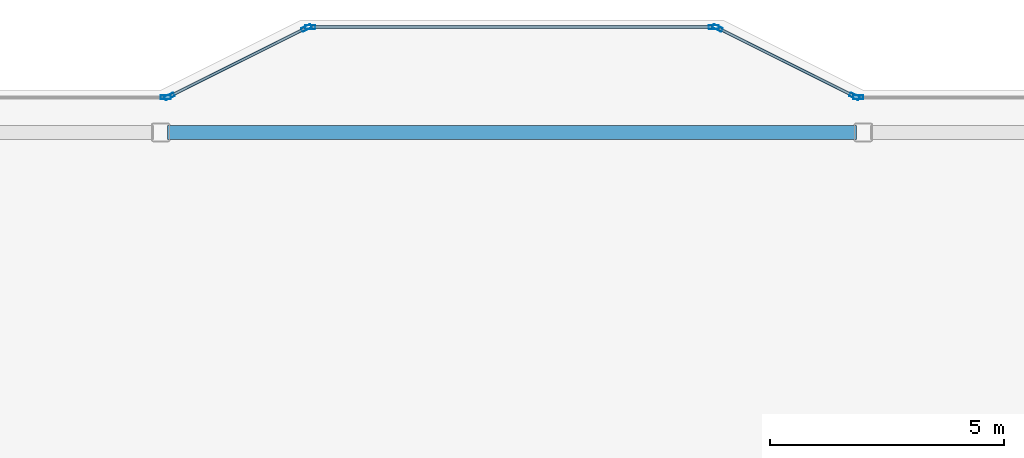
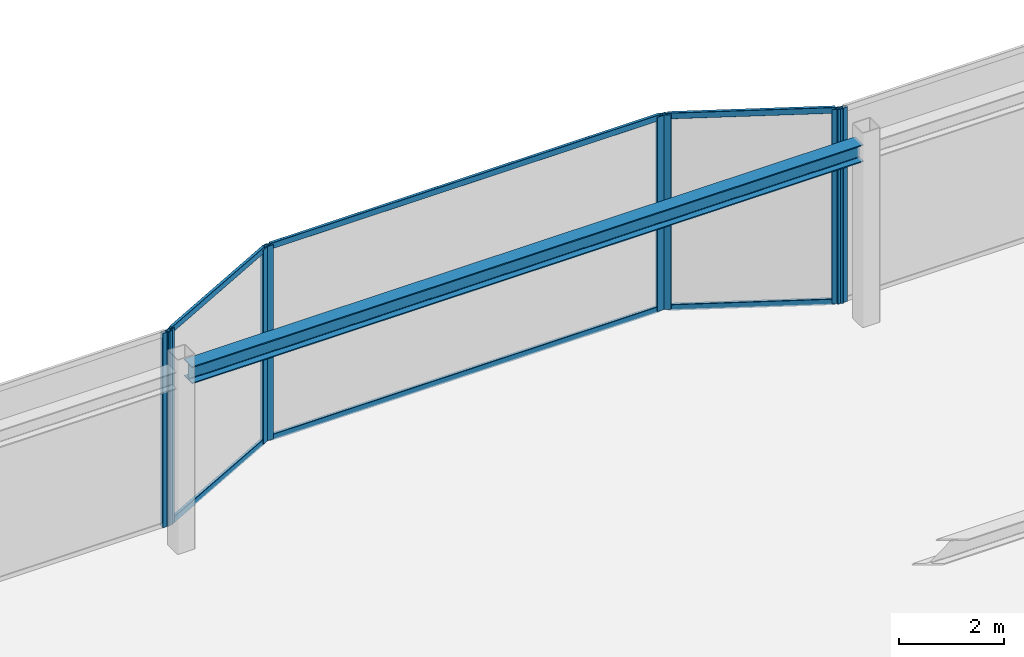
# One storey, part 11 of 14: 14 members, 1 beam, 5 elements without a shape of their own.
"""IFC4 building model written with IfcOpenShell, lengths in metres."""

from ifc_helpers import new_model, si_unit, direction, frame, origin, origin_2d, place, context, subcontext, project, spatial, hollow_rectangle, i_section, extrude, material, layer, layer_set, material_profile, profile_set, type_object, element, aggregate, save


model = new_model("IFC4")

# Units and contexts
model_context = context("Model", 3, precision=1e-05, world=origin(), true_north=direction((0.0, 1.0)))
body_context = subcontext(model_context, "Body", "Model", "MODEL_VIEW")
ifc_project = project(units=[si_unit("LENGTHUNIT", "METRE"), si_unit("AREAUNIT", "SQUARE_METRE"), si_unit("VOLUMEUNIT", "CUBIC_METRE"), si_unit("PLANEANGLEUNIT", "RADIAN"), si_unit("MASSUNIT", "GRAM", prefix="KILO")], contexts=[model_context])

# Site, building, storey
site_placement = place(None, origin())
site = spatial("IfcSite", under=ifc_project, at=site_placement, CompositionType="ELEMENT")
building_placement = place(site_placement, origin())
building = spatial("IfcBuilding", under=site, at=building_placement, Name="Tarnavaz Court Tower", CompositionType="ELEMENT")
storey_placement = place(building_placement, frame((0.0, 0.0, 286.050048828125)))
storey = spatial("IfcBuildingStorey", under=building, at=storey_placement, Name="C02", CompositionType="ELEMENT", Elevation=286.050048828125)

# Beam
ifc_material_1 = material(Name="Steel S355", Category="steel")
ifc_material_profile_1 = material_profile(ifc_material_1, i_section(OverallWidth=0.300048828125, OverallDepth=0.39990234375, WebThickness=0.013427734375, FlangeThickness=0.02392578125, FilletRadius=0.027099609375, at=origin_2d()), Name="HEB 400")
ifc_profile_set_1 = profile_set([ifc_material_profile_1], Name="Steel S355")
beam_type = type_object("IfcBeamType", Name="BM-G-HEB400", PredefinedType="USERDEFINED", material=ifc_profile_set_1)
beam_placement = place(storey_placement, frame((-7.35009765625, 20.10009765625, 4.0), z_axis=(1.0, 0.0, 0.0), x_axis=(0.0, 1.0, 0.0)))
element("IfcBeam", 1, at=beam_placement, inside=storey, type_object=beam_type, Name="C02 Beam CRG-PN-2-PN-3", ObjectType="GIRDER", PredefinedType="USERDEFINED", context=body_context, shape_type="SweptSolid", body=[
    extrude(i_section(OverallWidth=0.300048828125, OverallDepth=0.39990234375, WebThickness=0.013427734375, FlangeThickness=0.02392578125, FilletRadius=0.027099609375, at=origin_2d()), origin(), (0.0, 0.0, 1.0), 14.7001953125),
])

# Curtain wall, member
ifc_material_2 = material(Name="Anodised Aluminium 6063-T6 and Solar Low-E Glazing", Category="aluminium")
ifc_layer = layer(ifc_material_2, 0.2099609375)
ifc_layer_set = layer_set([ifc_layer], Name="Anodised Aluminium 6063-T6 and Solar Low-E Glazing")
curtain_wall_type = type_object("IfcCurtainWallType", Name="CW-SYS-06", PredefinedType="NOTDEFINED", material=ifc_layer_set)
curtain_wall_1_placement = place(storey_placement, origin())
curtain_wall_1 = element("IfcCurtainWall", 2, at=curtain_wall_1_placement, inside=storey, type_object=curtain_wall_type, Name="C02 Slanted Crown Terracotta Curtain Wall 17", PredefinedType="NOTDEFINED")
ifc_material_3 = material(Name="Anodised Aluminium 6063-T6", Category="aluminium")
ifc_material_profile_2 = material_profile(ifc_material_3, hollow_rectangle(XDim=0.0849609375, YDim=0.219970703125, WallThickness=0.006103515625, InnerFilletRadius=0.006103515625, OuterFilletRadius=0.011962890625, at=origin_2d()), Name="ALU RHS 220X85X6")
ifc_profile_set_2 = profile_set([ifc_material_profile_2], Name="Anodised Aluminium 6063-T6")
member_type_1 = type_object("IfcMemberType", Name="CW-MUL-220", PredefinedType="MULLION", material=ifc_profile_set_2)
member_1_placement = place(storey_placement, frame((-7.392578125, 20.85009765625, 0.0), z_axis=(0.0, 0.0, 1.0), x_axis=(0.0, 1.0, 0.0)))
member_1 = element("IfcMember", 3, at=member_1_placement, type_object=member_type_1, Name="CW mullion 3", PredefinedType="MULLION", context=body_context, shape_type="SweptSolid", body=[
    extrude(hollow_rectangle(XDim=0.0849609375, YDim=0.219970703125, WallThickness=0.006103515625, InnerFilletRadius=0.006103515625, OuterFilletRadius=0.011962890625, at=origin_2d()), origin(), (0.0, 0.0, 1.0), 4.5),
])
aggregate(curtain_wall_1, [member_1])

# Curtain wall, members
curtain_wall_2_placement = place(storey_placement, origin())
curtain_wall_2 = element("IfcCurtainWall", 4, at=curtain_wall_2_placement, inside=storey, type_object=curtain_wall_type, Name="C02 Slanted Crown Terracotta Curtain Wall 18", PredefinedType="NOTDEFINED")
member_2_placement = place(storey_placement, frame((-7.31201171875, 20.868896484375, 0.0), z_axis=(0.0, 0.0, 1.0), x_axis=(-0.447213595499, 0.894427191001, 0.0)))
member_2 = element("IfcMember", 5, at=member_2_placement, type_object=member_type_1, Name="CW mullion 1", PredefinedType="MULLION", context=body_context, shape_type="SweptSolid", body=[
    extrude(hollow_rectangle(XDim=0.0849609375, YDim=0.219970703125, WallThickness=0.006103515625, InnerFilletRadius=0.006103515625, OuterFilletRadius=0.011962890625, at=origin_2d()), origin(), (0.0, 0.0, 1.0), 4.5),
])
member_3_placement = place(storey_placement, frame((-4.387939453125, 22.3310546875, 0.0), z_axis=(0.0, 0.0, 1.0), x_axis=(-0.447213595499, 0.894427191001, 0.0)))
member_3 = element("IfcMember", 6, at=member_3_placement, type_object=member_type_1, Name="CW mullion 2", PredefinedType="MULLION", context=body_context, shape_type="SweptSolid", body=[
    extrude(hollow_rectangle(XDim=0.0849609375, YDim=0.219970703125, WallThickness=0.006103515625, InnerFilletRadius=0.006103515625, OuterFilletRadius=0.011962890625, at=origin_2d()), origin(), (0.0, 0.0, 1.0), 4.5),
])

curtain_wall_3_placement = place(storey_placement, origin())
curtain_wall_3 = element("IfcCurtainWall", 7, at=curtain_wall_3_placement, inside=storey, type_object=curtain_wall_type, Name="C02 Slanted Crown Terracotta Curtain Wall 19", PredefinedType="NOTDEFINED")
member_4_placement = place(storey_placement, frame((-4.3076171875, 22.35009765625, 0.0), z_axis=(0.0, 0.0, 1.0), x_axis=(0.0, 1.0, 0.0)))
member_4 = element("IfcMember", 8, at=member_4_placement, type_object=member_type_1, Name="CW mullion 1", PredefinedType="MULLION", context=body_context, shape_type="SweptSolid", body=[
    extrude(hollow_rectangle(XDim=0.0849609375, YDim=0.219970703125, WallThickness=0.006103515625, InnerFilletRadius=0.006103515625, OuterFilletRadius=0.011962890625, at=origin_2d()), origin(), (0.0, 0.0, 1.0), 4.5),
])
member_5_placement = place(storey_placement, frame((4.3076171875, 22.35009765625, 0.0), z_axis=(0.0, 0.0, 1.0), x_axis=(0.0, 1.0, 0.0)))
member_5 = element("IfcMember", 9, at=member_5_placement, type_object=member_type_1, Name="CW mullion 2", PredefinedType="MULLION", context=body_context, shape_type="SweptSolid", body=[
    extrude(hollow_rectangle(XDim=0.0849609375, YDim=0.219970703125, WallThickness=0.006103515625, InnerFilletRadius=0.006103515625, OuterFilletRadius=0.011962890625, at=origin_2d()), origin(), (0.0, 0.0, 1.0), 4.5),
])

curtain_wall_4_placement = place(storey_placement, origin())
curtain_wall_4 = element("IfcCurtainWall", 10, at=curtain_wall_4_placement, inside=storey, type_object=curtain_wall_type, Name="C02 Slanted Crown Terracotta Curtain Wall 20", PredefinedType="NOTDEFINED")
member_6_placement = place(storey_placement, frame((4.387939453125, 22.3310546875, 0.0), z_axis=(0.0, 0.0, 1.0), x_axis=(0.447213595499, 0.894427191001, 0.0)))
member_6 = element("IfcMember", 11, at=member_6_placement, type_object=member_type_1, Name="CW mullion 1", PredefinedType="MULLION", context=body_context, shape_type="SweptSolid", body=[
    extrude(hollow_rectangle(XDim=0.0849609375, YDim=0.219970703125, WallThickness=0.006103515625, InnerFilletRadius=0.006103515625, OuterFilletRadius=0.011962890625, at=origin_2d()), origin(), (0.0, 0.0, 1.0), 4.5),
])
member_7_placement = place(storey_placement, frame((7.31201171875, 20.868896484375, 0.0), z_axis=(0.0, 0.0, 1.0), x_axis=(0.447213595499, 0.894427191001, 0.0)))
member_7 = element("IfcMember", 12, at=member_7_placement, type_object=member_type_1, Name="CW mullion 2", PredefinedType="MULLION", context=body_context, shape_type="SweptSolid", body=[
    extrude(hollow_rectangle(XDim=0.0849609375, YDim=0.219970703125, WallThickness=0.006103515625, InnerFilletRadius=0.006103515625, OuterFilletRadius=0.011962890625, at=origin_2d()), origin(), (0.0, 0.0, 1.0), 4.5),
])

# Curtain wall, member
curtain_wall_5_placement = place(storey_placement, origin())
curtain_wall_5 = element("IfcCurtainWall", 13, at=curtain_wall_5_placement, inside=storey, type_object=curtain_wall_type, Name="C02 Slanted Crown Terracotta Curtain Wall 21", PredefinedType="NOTDEFINED")
member_8_placement = place(storey_placement, frame((7.392578125, 20.85009765625, 0.0), z_axis=(0.0, 0.0, 1.0), x_axis=(0.0, 1.0, 0.0)))
member_8 = element("IfcMember", 14, at=member_8_placement, type_object=member_type_1, Name="CW mullion 1", PredefinedType="MULLION", context=body_context, shape_type="SweptSolid", body=[
    extrude(hollow_rectangle(XDim=0.0849609375, YDim=0.219970703125, WallThickness=0.006103515625, InnerFilletRadius=0.006103515625, OuterFilletRadius=0.011962890625, at=origin_2d()), origin(), (0.0, 0.0, 1.0), 4.5),
])
aggregate(curtain_wall_5, [member_8])

# Member
ifc_material_profile_3 = material_profile(ifc_material_3, hollow_rectangle(XDim=0.06494140625, YDim=0.139892578125, WallThickness=0.00390625, InnerFilletRadius=0.00390625, OuterFilletRadius=0.008056640625, at=origin_2d()), Name="ALU RHS 140X65X4")
ifc_profile_set_3 = profile_set([ifc_material_profile_3], Name="Anodised Aluminium 6063-T6")
member_type_2 = type_object("IfcMemberType", Name="CW-TRN-140", PredefinedType="USERDEFINED", material=ifc_profile_set_3)
member_9_placement = place(storey_placement, frame((-7.27392578125, 20.887939453125, 0.032470703125), z_axis=(0.894411855509, 0.447244265168, 0.0), x_axis=(-0.447244265168, 0.894411855509, 0.0)))
member_9 = element("IfcMember", 15, at=member_9_placement, type_object=member_type_2, Name="CW transom 1.1", ObjectType="TRANSOM", PredefinedType="USERDEFINED", context=body_context, shape_type="SweptSolid", body=[
    extrude(hollow_rectangle(XDim=0.06494140625, YDim=0.139892578125, WallThickness=0.00390625, InnerFilletRadius=0.00390625, OuterFilletRadius=0.008056640625, at=origin_2d()), origin(), (0.0, 0.0, 1.0), 3.18408203125),
])

member_10_placement = place(storey_placement, frame((-7.27392578125, 20.887939453125, 4.467529296875), z_axis=(0.894411855509, 0.447244265168, 0.0), x_axis=(-0.447244265168, 0.894411855509, 0.0)))
member_10 = element("IfcMember", 16, at=member_10_placement, type_object=member_type_2, Name="CW transom 1.2", ObjectType="TRANSOM", PredefinedType="USERDEFINED", context=body_context, shape_type="SweptSolid", body=[
    extrude(hollow_rectangle(XDim=0.06494140625, YDim=0.139892578125, WallThickness=0.00390625, InnerFilletRadius=0.00390625, OuterFilletRadius=0.008056640625, at=origin_2d()), origin(), (0.0, 0.0, 1.0), 3.18408203125),
])

aggregate(curtain_wall_2, [member_2, member_3, member_9, member_10])

member_11_placement = place(storey_placement, frame((-4.264892578125, 22.35009765625, 0.032470703125), z_axis=(1.0, 0.0, 0.0), x_axis=(0.0, 1.0, 0.0)))
member_11 = element("IfcMember", 17, at=member_11_placement, type_object=member_type_2, Name="CW transom 1.1", ObjectType="TRANSOM", PredefinedType="USERDEFINED", context=body_context, shape_type="SweptSolid", body=[
    extrude(hollow_rectangle(XDim=0.06494140625, YDim=0.139892578125, WallThickness=0.00390625, InnerFilletRadius=0.00390625, OuterFilletRadius=0.008056640625, at=origin_2d()), origin(), (0.0, 0.0, 1.0), 8.52978515625),
])

member_12_placement = place(storey_placement, frame((-4.264892578125, 22.35009765625, 4.467529296875), z_axis=(1.0, 0.0, 0.0), x_axis=(0.0, 1.0, 0.0)))
member_12 = element("IfcMember", 18, at=member_12_placement, type_object=member_type_2, Name="CW transom 1.2", ObjectType="TRANSOM", PredefinedType="USERDEFINED", context=body_context, shape_type="SweptSolid", body=[
    extrude(hollow_rectangle(XDim=0.06494140625, YDim=0.139892578125, WallThickness=0.00390625, InnerFilletRadius=0.00390625, OuterFilletRadius=0.008056640625, at=origin_2d()), origin(), (0.0, 0.0, 1.0), 8.52978515625),
])

aggregate(curtain_wall_3, [member_4, member_5, member_11, member_12])

member_13_placement = place(storey_placement, frame((4.426025390625, 22.31201171875, 0.032470703125), z_axis=(0.894411855509, -0.447244265168, 0.0), x_axis=(0.447244265168, 0.894411855509, 0.0)))
member_13 = element("IfcMember", 19, at=member_13_placement, type_object=member_type_2, Name="CW transom 1.1", ObjectType="TRANSOM", PredefinedType="USERDEFINED", context=body_context, shape_type="SweptSolid", body=[
    extrude(hollow_rectangle(XDim=0.06494140625, YDim=0.139892578125, WallThickness=0.00390625, InnerFilletRadius=0.00390625, OuterFilletRadius=0.008056640625, at=origin_2d()), origin(), (0.0, 0.0, 1.0), 3.18408203125),
])

member_14_placement = place(storey_placement, frame((4.426025390625, 22.31201171875, 4.467529296875), z_axis=(0.894411855509, -0.447244265168, 0.0), x_axis=(0.447244265168, 0.894411855509, 0.0)))
member_14 = element("IfcMember", 20, at=member_14_placement, type_object=member_type_2, Name="CW transom 1.2", ObjectType="TRANSOM", PredefinedType="USERDEFINED", context=body_context, shape_type="SweptSolid", body=[
    extrude(hollow_rectangle(XDim=0.06494140625, YDim=0.139892578125, WallThickness=0.00390625, InnerFilletRadius=0.00390625, OuterFilletRadius=0.008056640625, at=origin_2d()), origin(), (0.0, 0.0, 1.0), 3.18408203125),
])

aggregate(curtain_wall_4, [member_6, member_7, member_13, member_14])

save(model, "model.ifc")
